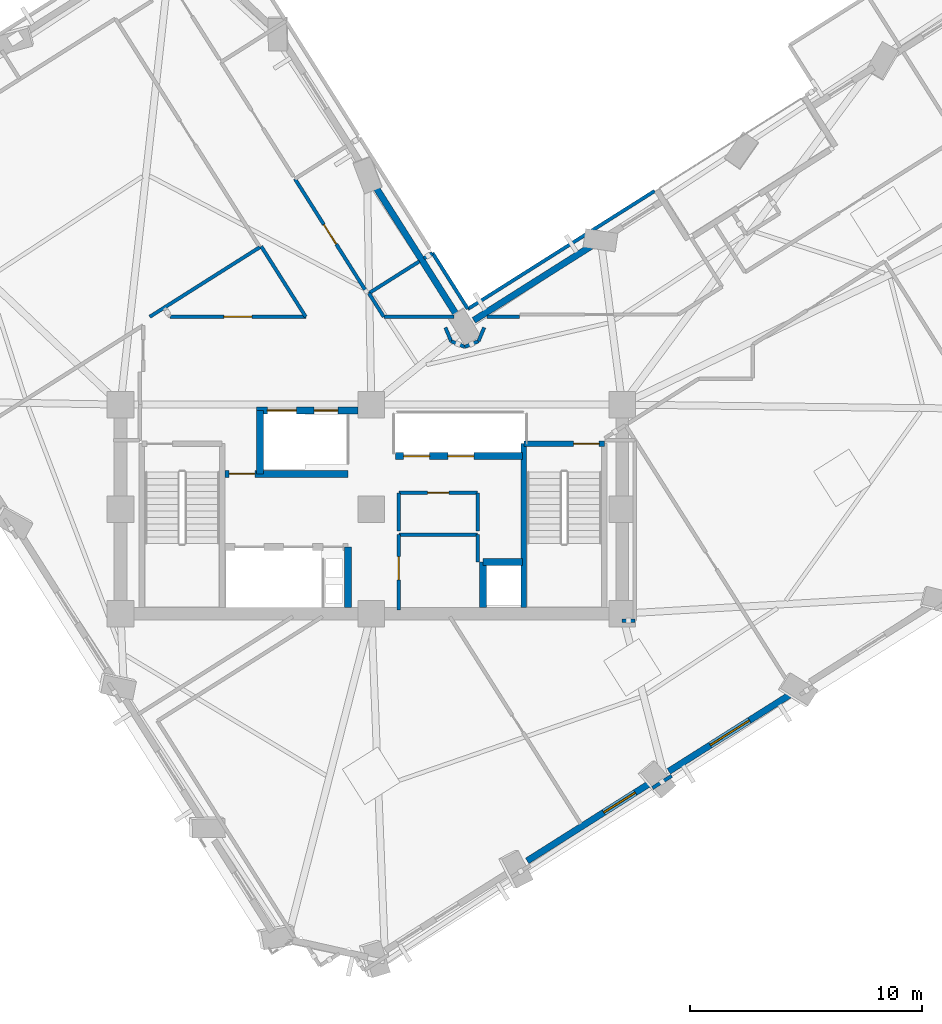
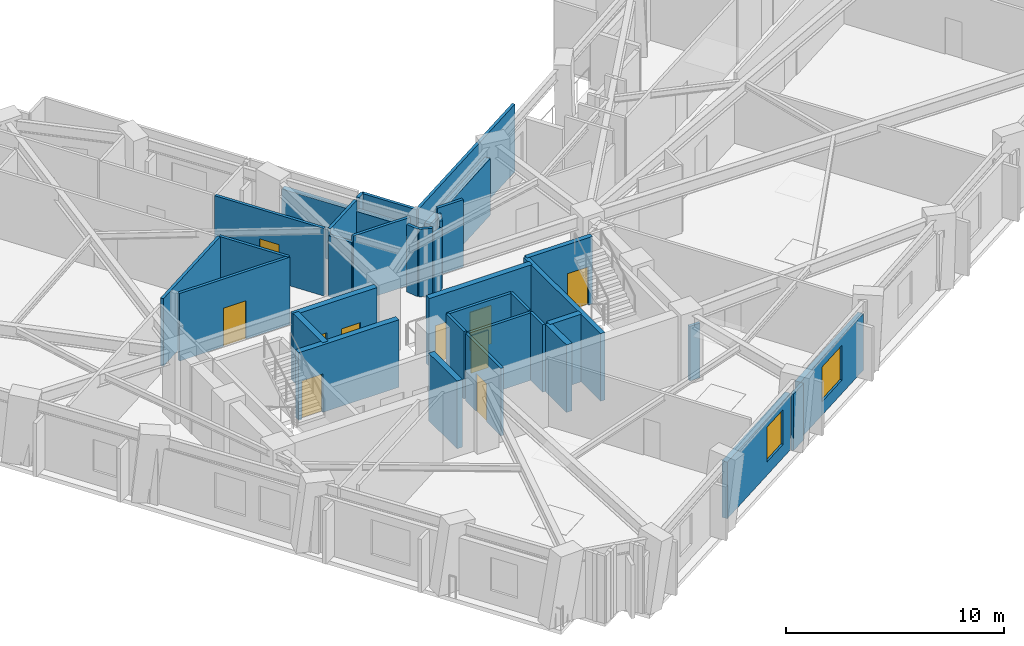
# One storey, part 6 of 14: 36 walls, 10 doors, 2 windows, 12 openings.
"""IFC4 building model written with IfcOpenShell, lengths in metres."""

from ifc_helpers import new_model, si_unit, direction, frame, frame_2d, origin, place, context, subcontext, project, spatial, rectangle, extrude, material, layer, layer_set, type_object, element, fill, save


model = new_model("IFC4")

# Units and contexts
model_context = context("Model", 3, precision=1e-05, world=origin(), true_north=direction((0.0, 1.0)))
body_context = subcontext(model_context, "Body", "Model", "MODEL_VIEW")
ifc_project = project(units=[si_unit("LENGTHUNIT", "METRE"), si_unit("AREAUNIT", "SQUARE_METRE"), si_unit("VOLUMEUNIT", "CUBIC_METRE"), si_unit("PLANEANGLEUNIT", "RADIAN"), si_unit("MASSUNIT", "GRAM", prefix="KILO")], contexts=[model_context])

# Site, building, storey
site_placement = place(None, origin())
site = spatial("IfcSite", under=ifc_project, at=site_placement, CompositionType="ELEMENT")
building_placement = place(site_placement, origin())
building = spatial("IfcBuilding", under=site, at=building_placement, Name="Gaonmaruhae Medical Tower", CompositionType="ELEMENT")
storey_placement = place(building_placement, frame((0.0, 0.0, 161.800048828125)))
storey = spatial("IfcBuildingStorey", under=building, at=storey_placement, Name="L38", CompositionType="ELEMENT", Elevation=161.800048828125)

# Wall, opening, window
ifc_material_1 = material(Name="Precast concrete C45/55", Category="concrete")
ifc_layer_1 = layer(ifc_material_1, 0.280029296875)
ifc_layer_set_1 = layer_set([ifc_layer_1], Name="Precast concrete C45/55")
wall_type_1 = type_object("IfcWallType", Name="EW-280 Upper Precast Masonry-Frame Facade Wall", PredefinedType="SOLIDWALL", material=ifc_layer_set_1)
wall_1_placement = place(storey_placement, frame((36.779296875, 0.48681640625, 0.0), z_axis=(0.0, 0.0, 1.0), x_axis=(-0.845247792031, -0.534374559712, 0.0)))
wall_1 = element("IfcWall", 1, at=wall_1_placement, inside=storey, type_object=wall_type_1, Name="L38 Precast Masonry-Frame Wall S02-S03", PredefinedType="SOLIDWALL", context=body_context, shape_type="SweptSolid", body=[
    extrude(rectangle(XDim=6.234130859375, YDim=0.280029296875, at=frame_2d((3.1171875, 0.0))), origin(), (0.0, 0.0, 1.0), 3.1650390625),
])
opening_1_placement = place(wall_1_placement, frame((0.73193359375, 0.0, 0.75)))
opening_1 = element("IfcOpeningElement", 2, at=opening_1_placement, cuts=wall_1, Name="Opening WN-01", PredefinedType="OPENING", context=body_context, shape_type="SweptSolid", body=[
    extrude(rectangle(XDim=1.60009765625, YDim=1.949951171875, at=frame_2d((0.800048828125, 0.97509765625))), frame((0.0, 0.14990234375, 0.0), z_axis=(0.0, -1.0, 0.0), x_axis=(1.0, 0.0, 0.0)), (0.0, 0.0, 1.0), 0.300048828125),
])
ifc_material_2 = material(Name="Anodised aluminium and Low-E double glazing", Category="aluminium")
window_type_1 = type_object("IfcWindowType", Name="WN-01 Ward Punched Acoustic Window 1600x1950", PartitioningType="SINGLE_PANEL", PredefinedType="WINDOW", material=ifc_material_2)
window_1_placement = place(opening_1_placement, origin())
window_1 = element("IfcWindow", 3, at=window_1_placement, inside=storey, type_object=window_type_1, Name="L38 Modular Facade Window S02", OverallHeight=1.949951171875, OverallWidth=1.60009765625, PartitioningType="SINGLE_PANEL", PredefinedType="WINDOW", context=body_context, shape_type="SweptSolid", body=[
    extrude(rectangle(XDim=1.60009765625, YDim=1.949951171875, at=frame_2d((0.800048828125, 0.97509765625))), frame((0.0, 0.030029296875, 0.0), z_axis=(0.0, -1.0, 0.0), x_axis=(1.0, 0.0, 0.0)), (0.0, 0.0, 1.0), 0.06005859375),
])
fill(opening_1, window_1)

wall_2_placement = place(storey_placement, frame((42.859619140625, 4.33056640625, 0.0), z_axis=(0.0, 0.0, 1.0), x_axis=(-0.845265708626, -0.534346219057, 0.0)))
wall_2 = element("IfcWall", 4, at=wall_2_placement, inside=storey, type_object=wall_type_1, Name="L38 Precast Masonry-Frame Wall S03-S04", PredefinedType="SOLIDWALL", context=body_context, shape_type="SweptSolid", body=[
    extrude(rectangle(XDim=6.21435546875, YDim=0.280029296875, at=frame_2d((3.107177734375, 0.0))), origin(), (0.0, 0.0, 1.0), 3.1650390625),
])
opening_2_placement = place(wall_2_placement, frame((2.105712890625, 0.0, 0.75)))
opening_2 = element("IfcOpeningElement", 5, at=opening_2_placement, cuts=wall_2, Name="Opening WN-02", PredefinedType="OPENING", context=body_context, shape_type="SweptSolid", body=[
    extrude(rectangle(XDim=2.0, YDim=1.949951171875, at=frame_2d((1.0, 0.97509765625))), frame((0.0, 0.14990234375, 0.0), z_axis=(0.0, -1.0, 0.0), x_axis=(1.0, 0.0, 0.0)), (0.0, 0.0, 1.0), 0.300048828125),
])
window_type_2 = type_object("IfcWindowType", Name="WN-02 Double-Bed Ward Punched Window 2000x1950", PartitioningType="SINGLE_PANEL", PredefinedType="WINDOW", material=ifc_material_2)
window_2_placement = place(opening_2_placement, origin())
window_2 = element("IfcWindow", 6, at=window_2_placement, inside=storey, type_object=window_type_2, Name="L38 Modular Facade Window S03", OverallHeight=1.949951171875, OverallWidth=2.0, PartitioningType="SINGLE_PANEL", PredefinedType="WINDOW", context=body_context, shape_type="SweptSolid", body=[
    extrude(rectangle(XDim=2.0, YDim=1.949951171875, at=frame_2d((1.0, 0.97509765625))), frame((0.0, 0.030029296875, 0.0), z_axis=(0.0, -1.0, 0.0), x_axis=(1.0, 0.0, 0.0)), (0.0, 0.0, 1.0), 0.06005859375),
])
fill(opening_2, window_2)

# Walls
wall_3_placement = place(storey_placement, frame((29.211669921875, 20.4287109375, 0.0), z_axis=(0.0, 0.0, 1.0), x_axis=(0.845278586038, 0.534325848136, 0.0)))
element("IfcWall", 7, at=wall_3_placement, inside=storey, type_object=wall_type_1, Name="L38 Precast Masonry-Frame Wall EN03-KN01", PredefinedType="SOLIDWALL", context=body_context, shape_type="SweptSolid", body=[
    extrude(rectangle(XDim=5.9599609375, YDim=0.280029296875, at=frame_2d((2.97998046875, 0.0))), origin(), (0.0, 0.0, 1.0), 3.1650390625),
])
wall_4_placement = place(storey_placement, frame((28.548828125, 20.532470703125, 0.0), z_axis=(0.0, 0.0, 1.0), x_axis=(-0.534367970057, 0.845251958044, 0.0)))
element("IfcWall", 8, at=wall_4_placement, inside=storey, type_object=wall_type_1, Name="L38 Precast Masonry-Frame Wall KN01-NE01", PredefinedType="SOLIDWALL", context=body_context, shape_type="SweptSolid", body=[
    extrude(rectangle(XDim=6.760009765625, YDim=0.280029296875, at=frame_2d((3.3798828125, 0.0))), origin(), (0.0, 0.0, 1.0), 3.1650390625),
])

# Wall, opening, door
ifc_material_3 = material(Name="Gypsum board partition", Category="gypsum")
ifc_layer_2 = layer(ifc_material_3, 0.14990234375)
ifc_layer_set_2 = layer_set([ifc_layer_2], Name="Gypsum board partition")
wall_type_2 = type_object("IfcWallType", Name="PW-150 Rated Clinical Corridor Partition", PredefinedType="PARTITIONING", material=ifc_layer_set_2)
wall_5_placement = place(storey_placement, frame((25.97998046875, 7.9599609375, 0.0), z_axis=(0.0, 0.0, 1.0), x_axis=(0.0, 1.0, 0.0)))
wall_5 = element("IfcWall", 9, at=wall_5_placement, inside=storey, type_object=wall_type_2, Name="L38 Interior Partition L38-RCL1-1", PredefinedType="PARTITIONING", context=body_context, shape_type="SweptSolid", body=[
    extrude(rectangle(XDim=3.239990234375, YDim=0.14990234375, at=frame_2d((1.6201171875, 0.0))), origin(), (0.0, 0.0, 1.0), 3.780029296875),
])
opening_3_placement = place(wall_5_placement, frame((1.294921875, 0.0, 0.0)))
opening_3 = element("IfcOpeningElement", 10, at=opening_3_placement, cuts=wall_5, Name="Opening CD-01", PredefinedType="OPENING", context=body_context, shape_type="SweptSolid", body=[
    extrude(rectangle(XDim=1.0, YDim=2.1201171875, at=frame_2d((0.5, 1.06005859375))), frame((0.0, 0.0849609375, 0.0), z_axis=(0.0, -1.0, 0.0), x_axis=(1.0, 0.0, 0.0)), (0.0, 0.0, 1.0), 0.169921875),
])
ifc_material_4 = material(Name="Antimicrobial laminate timber fire door", Category="wood")
door_type_1 = type_object("IfcDoorType", Name="CD-01 Consultation & Physician Office Door 1000x2120", OperationType="NOTDEFINED", PredefinedType="DOOR", material=ifc_material_4)
door_1_placement = place(opening_3_placement, origin())
door_1 = element("IfcDoor", 11, at=door_1_placement, inside=storey, type_object=door_type_1, Name="L38 Clinical Telemetry and Medication Room Door", OperationType="SINGLE_SWING_RIGHT", OverallHeight=2.1201171875, OverallWidth=1.0, PredefinedType="DOOR", context=body_context, shape_type="SweptSolid", body=[
    extrude(rectangle(XDim=1.0, YDim=2.1201171875, at=frame_2d((0.5, 1.06005859375))), frame((0.0, 0.02490234375, 0.0), z_axis=(0.0, -1.0, 0.0), x_axis=(1.0, 0.0, 0.0)), (0.0, 0.0, 1.0), 0.050048828125),
])
fill(opening_3, door_1)

# Walls
wall_6_placement = place(storey_placement, frame((25.97998046875, 11.199951171875, 0.0), z_axis=(0.0, 0.0, 1.0), x_axis=(1.0, 0.0, 0.0)))
element("IfcWall", 12, at=wall_6_placement, inside=storey, type_object=wall_type_2, Name="L38 Interior Partition L38-RCL1-2", PredefinedType="PARTITIONING", context=body_context, shape_type="SweptSolid", body=[
    extrude(rectangle(XDim=3.39990234375, YDim=0.14990234375, at=frame_2d((1.699951171875, 0.0))), origin(), (0.0, 0.0, 1.0), 3.780029296875),
])
wall_7_placement = place(storey_placement, frame((29.3798828125, 11.199951171875, 0.0), z_axis=(0.0, 0.0, 1.0), x_axis=(0.0, -1.0, 0.0)))
element("IfcWall", 13, at=wall_7_placement, inside=storey, type_object=wall_type_2, Name="L38 Interior Partition L38-RCL1-3", PredefinedType="PARTITIONING", context=body_context, shape_type="SweptSolid", body=[
    extrude(rectangle(XDim=1.179931640625, YDim=0.14990234375, at=frame_2d((0.58984375, 0.0))), origin(), (0.0, 0.0, 1.0), 3.780029296875),
])
wall_8_placement = place(storey_placement, frame((25.97998046875, 11.360107421875, 0.0), z_axis=(0.0, 0.0, 1.0), x_axis=(0.0, 1.0, 0.0)))
element("IfcWall", 14, at=wall_8_placement, inside=storey, type_object=wall_type_2, Name="L38 Interior Partition L38-CS1-4", PredefinedType="PARTITIONING", context=body_context, shape_type="SweptSolid", body=[
    extrude(rectangle(XDim=1.639892578125, YDim=0.14990234375, at=frame_2d((0.81982421875, 0.0))), origin(), (0.0, 0.0, 1.0), 3.780029296875),
])

# Wall, opening, door
wall_9_placement = place(storey_placement, frame((25.97998046875, 13.0, 0.0), z_axis=(0.0, 0.0, 1.0), x_axis=(1.0, 0.0, 0.0)))
wall_9 = element("IfcWall", 15, at=wall_9_placement, inside=storey, type_object=wall_type_2, Name="L38 Interior Partition L38-CS1-5", PredefinedType="PARTITIONING", context=body_context, shape_type="SweptSolid", body=[
    extrude(rectangle(XDim=3.39990234375, YDim=0.14990234375, at=frame_2d((1.699951171875, 0.0))), origin(), (0.0, 0.0, 1.0), 3.780029296875),
])
opening_4_placement = place(wall_9_placement, frame((1.239990234375, 0.0, 0.0)))
opening_4 = element("IfcOpeningElement", 16, at=opening_4_placement, cuts=wall_9, Name="Opening UD-01", PredefinedType="OPENING", context=body_context, shape_type="SweptSolid", body=[
    extrude(rectangle(XDim=0.919921875, YDim=2.10009765625, at=frame_2d((0.4599609375, 1.050048828125))), frame((0.0, 0.0849609375, 0.0), z_axis=(0.0, -1.0, 0.0), x_axis=(1.0, 0.0, 0.0)), (0.0, 0.0, 1.0), 0.169921875),
])
ifc_material_5 = material(Name="Powder-coated steel utility door", Category="steel")
door_type_2 = type_object("IfcDoorType", Name="UD-01 Toilet, Utility & Housekeeping Door 920x2100", OperationType="NOTDEFINED", PredefinedType="DOOR", material=ifc_material_5)
door_2_placement = place(opening_4_placement, origin())
door_2 = element("IfcDoor", 17, at=door_2_placement, inside=storey, type_object=door_type_2, Name="L38 Accessible Staff Toilet Door", OperationType="SINGLE_SWING_LEFT", OverallHeight=2.10009765625, OverallWidth=0.919921875, PredefinedType="DOOR", context=body_context, shape_type="SweptSolid", body=[
    extrude(rectangle(XDim=0.919921875, YDim=2.10009765625, at=frame_2d((0.4599609375, 1.050048828125))), frame((0.0, 0.02490234375, 0.0), z_axis=(0.0, -1.0, 0.0), x_axis=(1.0, 0.0, 0.0)), (0.0, 0.0, 1.0), 0.050048828125),
])
fill(opening_4, door_2)

# Walls
wall_10_placement = place(storey_placement, frame((29.3798828125, 13.0, 0.0), z_axis=(0.0, 0.0, 1.0), x_axis=(0.0, -1.0, 0.0)))
element("IfcWall", 18, at=wall_10_placement, inside=storey, type_object=wall_type_2, Name="L38 Interior Partition L38-CS1-6", PredefinedType="PARTITIONING", context=body_context, shape_type="SweptSolid", body=[
    extrude(rectangle(XDim=1.639892578125, YDim=0.14990234375, at=frame_2d((0.81982421875, 0.0))), origin(), (0.0, 0.0, 1.0), 3.780029296875),
])
wall_11_placement = place(storey_placement, frame((37.72998046875, 0.81591796875, 0.0), z_axis=(0.0, 0.0, 1.0), x_axis=(-0.845003003257, -0.534761558534, 0.0)))
element("IfcWall", 19, at=wall_11_placement, inside=storey, type_object=wall_type_2, Name="L38 Interior Partition L38-SUP02-18", PredefinedType="PARTITIONING", context=body_context, shape_type="SweptSolid", body=[
    extrude(rectangle(XDim=0.979736328125, YDim=0.14990234375, at=frame_2d((0.48974609375, 0.0))), origin(), (0.0, 0.0, 1.0), 3.1650390625),
])
wall_12_placement = place(storey_placement, frame((35.60009765625, 7.5, 0.0), z_axis=(0.0, 0.0, 1.0), x_axis=(1.0, 0.0, 0.0)))
element("IfcWall", 20, at=wall_12_placement, inside=storey, type_object=wall_type_2, Name="L38 Interior Partition L38-SUP02-19", PredefinedType="PARTITIONING", context=body_context, shape_type="SweptSolid", body=[
    extrude(rectangle(XDim=0.5498046875, YDim=0.14990234375, at=frame_2d((0.27490234375, 0.0))), origin(), (0.0, 0.0, 1.0), 3.06494140625),
])
wall_13_placement = place(storey_placement, frame((19.998046875, 23.577880859375, 0.0), z_axis=(0.0, 0.0, 1.0), x_axis=(-0.845256150615, -0.534361338279, 0.0)))
element("IfcWall", 21, at=wall_13_placement, inside=storey, type_object=wall_type_2, Name="L38 Interior Partition L38-WOF06-50", PredefinedType="PARTITIONING", context=body_context, shape_type="SweptSolid", body=[
    extrude(rectangle(XDim=5.610107421875, YDim=0.14990234375, at=frame_2d((2.80517578125, 0.0))), origin(), (0.0, 0.0, 1.0), 3.780029296875),
])
wall_14_placement = place(storey_placement, frame((31.169921875, 20.580078125, 0.0), z_axis=(0.0, 0.0, 1.0), x_axis=(-0.999995483041, -0.003005644132, 0.0)))
element("IfcWall", 22, at=wall_14_placement, inside=storey, type_object=wall_type_2, Name="L38 Interior Partition L38-IE01-51", PredefinedType="PARTITIONING", context=body_context, shape_type="SweptSolid", body=[
    extrude(rectangle(XDim=1.380859375, YDim=0.14990234375, at=frame_2d((0.6904296875, 0.0))), origin(), (0.0, 0.0, 1.0), 3.780029296875),
])
wall_15_placement = place(storey_placement, frame((29.656982421875, 20.118896484375, 0.0), z_axis=(0.0, 0.0, 1.0), x_axis=(-0.382656259044, -0.923890787601, 0.0)))
element("IfcWall", 23, at=wall_15_placement, inside=storey, type_object=wall_type_2, Name="L38 Interior Partition L38-IE01-52", PredefinedType="PARTITIONING", context=body_context, shape_type="SweptSolid", body=[
    extrude(rectangle(XDim=0.637451171875, YDim=0.14990234375, at=frame_2d((0.31884765625, 0.0))), origin(), (0.0, 0.0, 1.0), 3.780029296875),
])
wall_16_placement = place(storey_placement, frame((29.4130859375, 19.530029296875, 0.0), z_axis=(0.0, 0.0, 1.0), x_axis=(-0.923811477415, -0.382847690599, 0.0)))
element("IfcWall", 24, at=wall_16_placement, inside=storey, type_object=wall_type_2, Name="L38 Interior Partition L38-IE01-53", PredefinedType="PARTITIONING", context=body_context, shape_type="SweptSolid", body=[
    extrude(rectangle(XDim=0.6376953125, YDim=0.14990234375, at=frame_2d((0.31884765625, 0.0))), origin(), (0.0, 0.0, 1.0), 3.4150390625),
])
wall_17_placement = place(storey_placement, frame((28.823974609375, 19.285888671875, 0.0), z_axis=(0.0, 0.0, 1.0), x_axis=(-0.924035461503, 0.382306769343, 0.0)))
element("IfcWall", 25, at=wall_17_placement, inside=storey, type_object=wall_type_2, Name="L38 Interior Partition L38-IE01-54", PredefinedType="PARTITIONING", context=body_context, shape_type="SweptSolid", body=[
    extrude(rectangle(XDim=0.638671875, YDim=0.14990234375, at=frame_2d((0.3193359375, 0.0))), origin(), (0.0, 0.0, 1.0), 3.780029296875),
])
wall_18_placement = place(storey_placement, frame((28.23388671875, 19.530029296875, 0.0), z_axis=(0.0, 0.0, 1.0), x_axis=(-0.382656259044, 0.923890787601, 0.0)))
element("IfcWall", 26, at=wall_18_placement, inside=storey, type_object=wall_type_2, Name="L38 Interior Partition L38-IE01-55", PredefinedType="PARTITIONING", context=body_context, shape_type="SweptSolid", body=[
    extrude(rectangle(XDim=0.637451171875, YDim=0.14990234375, at=frame_2d((0.31884765625, 0.0))), origin(), (0.0, 0.0, 1.0), 3.780029296875),
])
wall_19_placement = place(storey_placement, frame((28.362060546875, 20.574951171875, 0.0), z_axis=(0.0, 0.0, 1.0), x_axis=(-0.999998564793, 0.001694229113, 0.0)))
element("IfcWall", 27, at=wall_19_placement, inside=storey, type_object=wall_type_2, Name="L38 Interior Partition L38-IE01-56", PredefinedType="PARTITIONING", context=body_context, shape_type="SweptSolid", body=[
    extrude(rectangle(XDim=3.026123046875, YDim=0.14990234375, at=frame_2d((1.51318359375, 0.0))), origin(), (0.0, 0.0, 1.0), 3.780029296875),
])
wall_20_placement = place(storey_placement, frame((25.3359375, 20.580078125, 0.0), z_axis=(0.0, 0.0, 1.0), x_axis=(-0.53450539879, 0.845165060012, 0.0)))
element("IfcWall", 28, at=wall_20_placement, inside=storey, type_object=wall_type_2, Name="L38 Interior Partition L38-IE01-57", PredefinedType="PARTITIONING", context=body_context, shape_type="SweptSolid", body=[
    extrude(rectangle(XDim=1.200927734375, YDim=0.14990234375, at=frame_2d((0.6005859375, 0.0))), origin(), (0.0, 0.0, 1.0), 3.4150390625),
])
wall_21_placement = place(storey_placement, frame((24.694091796875, 21.594970703125, 0.0), z_axis=(0.0, 0.0, 1.0), x_axis=(0.845308645917, 0.534278291846, 0.0)))
element("IfcWall", 29, at=wall_21_placement, inside=storey, type_object=wall_type_2, Name="L38 Interior Partition L38-IE01-58", PredefinedType="PARTITIONING", context=body_context, shape_type="SweptSolid", body=[
    extrude(rectangle(XDim=2.575439453125, YDim=0.14990234375, at=frame_2d((1.28759765625, 0.0))), origin(), (0.0, 0.0, 1.0), 3.780029296875),
])
wall_22_placement = place(storey_placement, frame((27.06494140625, 23.093994140625, 0.0), z_axis=(0.0, 0.0, 1.0), x_axis=(0.84508917053, 0.534625377113, 0.0)))
element("IfcWall", 30, at=wall_22_placement, inside=storey, type_object=wall_type_2, Name="L38 Interior Partition L38-IE01-59", PredefinedType="PARTITIONING", context=body_context, shape_type="SweptSolid", body=[
    extrude(rectangle(XDim=0.435546875, YDim=0.14990234375, at=frame_2d((0.2177734375, 0.0))), origin(), (0.0, 0.0, 1.0), 3.780029296875),
])
wall_23_placement = place(storey_placement, frame((27.43310546875, 23.326904296875, 0.0), z_axis=(0.0, 0.0, 1.0), x_axis=(0.534373252467, -0.845248618483, 0.0)))
element("IfcWall", 31, at=wall_23_placement, inside=storey, type_object=wall_type_2, Name="L38 Interior Partition L38-IE01-60", PredefinedType="PARTITIONING", context=body_context, shape_type="SweptSolid", body=[
    extrude(rectangle(XDim=2.849853515625, YDim=0.14990234375, at=frame_2d((1.4248046875, 0.0))), origin(), (0.0, 0.0, 1.0), 3.780029296875),
])
wall_24_placement = place(storey_placement, frame((28.9560546875, 20.91796875, 0.0), z_axis=(0.0, 0.0, 1.0), x_axis=(0.845335214323, 0.534236254316, 0.0)))
element("IfcWall", 32, at=wall_24_placement, inside=storey, type_object=wall_type_2, Name="L38 Interior Partition L38-IE01-61", PredefinedType="PARTITIONING", context=body_context, shape_type="SweptSolid", body=[
    extrude(rectangle(XDim=9.5146484375, YDim=0.14990234375, at=frame_2d((4.75732421875, 0.0))), origin(), (0.0, 0.0, 1.0), 3.780029296875),
])

# Wall, opening, door
wall_25_placement = place(storey_placement, frame((24.531005859375, 21.740966796875, 0.0), z_axis=(0.0, 0.0, 1.0), x_axis=(-0.534249623968, 0.845326764802, 0.0)))
wall_25 = element("IfcWall", 33, at=wall_25_placement, inside=storey, type_object=wall_type_2, Name="L38 Interior Partition L38-IN01-83", PredefinedType="PARTITIONING", context=body_context, shape_type="SweptSolid", body=[
    extrude(rectangle(XDim=5.654541015625, YDim=0.14990234375, at=frame_2d((2.8271484375, 0.0))), origin(), (0.0, 0.0, 1.0), 3.780029296875),
])
opening_5_placement = place(wall_25_placement, frame((2.327392578125, 0.0, 0.0)))
opening_5 = element("IfcOpeningElement", 34, at=opening_5_placement, cuts=wall_25, Name="Opening CD-01", PredefinedType="OPENING", context=body_context, shape_type="SweptSolid", body=[
    extrude(rectangle(XDim=1.0, YDim=2.1201171875, at=frame_2d((0.5, 1.06005859375))), frame((0.0, 0.0849609375, 0.0), z_axis=(0.0, -1.0, 0.0), x_axis=(1.0, 0.0, 0.0)), (0.0, 0.0, 1.0), 0.169921875),
])
door_3_placement = place(opening_5_placement, origin())
door_3 = element("IfcDoor", 35, at=door_3_placement, inside=storey, type_object=door_type_1, Name="L38 Physician Consultation Office Door", OperationType="SINGLE_SWING_LEFT", OverallHeight=2.1201171875, OverallWidth=1.0, PredefinedType="DOOR", context=body_context, shape_type="SweptSolid", body=[
    extrude(rectangle(XDim=1.0, YDim=2.1201171875, at=frame_2d((0.5, 1.06005859375))), frame((0.0, 0.02490234375, 0.0), z_axis=(0.0, -1.0, 0.0), x_axis=(1.0, 0.0, 0.0)), (0.0, 0.0, 1.0), 0.050048828125),
])
fill(opening_5, door_3)

# Wall
wall_26_placement = place(storey_placement, frame((20.056884765625, 23.614990234375, 0.0), z_axis=(0.0, 0.0, 1.0), x_axis=(0.534471261003, -0.845186648712, 0.0)))
element("IfcWall", 36, at=wall_26_placement, inside=storey, type_object=wall_type_2, Name="L38 Interior Partition L38-RM02-95", PredefinedType="PARTITIONING", context=body_context, shape_type="SweptSolid", body=[
    extrude(rectangle(XDim=3.5908203125, YDim=0.14990234375, at=frame_2d((1.79541015625, 0.0))), origin(), (0.0, 0.0, 1.0), 3.780029296875),
])

# Wall, opening, door
wall_27_placement = place(storey_placement, frame((21.97607421875, 20.580078125, 0.0), z_axis=(0.0, 0.0, 1.0), x_axis=(-1.0, 0.0, 0.0)))
wall_27 = element("IfcWall", 37, at=wall_27_placement, inside=storey, type_object=wall_type_2, Name="L38 Interior Partition L38-RM02-96", PredefinedType="PARTITIONING", context=body_context, shape_type="SweptSolid", body=[
    extrude(rectangle(XDim=5.843994140625, YDim=0.14990234375, at=frame_2d((2.921875, 0.0))), origin(), (0.0, 0.0, 1.0), 3.780029296875),
])
opening_6_placement = place(wall_27_placement, frame((2.322021484375, 0.0, 0.0)))
opening_6 = element("IfcOpeningElement", 38, at=opening_6_placement, cuts=wall_27, Name="Opening CD-02", PredefinedType="OPENING", context=body_context, shape_type="SweptSolid", body=[
    extrude(rectangle(XDim=1.199951171875, YDim=2.14990234375, at=frame_2d((0.60009765625, 1.074951171875))), frame((0.0, 0.0849609375, 0.0), z_axis=(0.0, -1.0, 0.0), x_axis=(1.0, 0.0, 0.0)), (0.0, 0.0, 1.0), 0.169921875),
])
door_type_3 = type_object("IfcDoorType", Name="CD-02 Clinical Treatment & Procedure Door 1200x2150", OperationType="NOTDEFINED", PredefinedType="DOOR", material=ifc_material_4)
door_4_placement = place(opening_6_placement, origin())
door_4 = element("IfcDoor", 39, at=door_4_placement, inside=storey, type_object=door_type_3, Name="L38 Care Team Clinical Charting Office Door", OperationType="SINGLE_SWING_RIGHT", OverallHeight=2.14990234375, OverallWidth=1.199951171875, PredefinedType="DOOR", context=body_context, shape_type="SweptSolid", body=[
    extrude(rectangle(XDim=1.199951171875, YDim=2.14990234375, at=frame_2d((0.60009765625, 1.074951171875))), frame((0.0, 0.02490234375, 0.0), z_axis=(0.0, -1.0, 0.0), x_axis=(1.0, 0.0, 0.0)), (0.0, 0.0, 1.0), 0.050048828125),
])
fill(opening_6, door_4)

ifc_material_6 = material(Name="Concrete C50/60", Category="concrete")
ifc_layer_3 = layer(ifc_material_6, 0.239990234375)
ifc_layer_set_3 = layer_set([ifc_layer_3], Name="Concrete C50/60")
wall_type_3 = type_object("IfcWallType", Name="SW-240 Dogleg Stair Tight Shaft Wall", PredefinedType="SOLIDWALL", material=ifc_layer_set_3)
wall_28_placement = place(storey_placement, frame((31.3701171875, 15.1201171875, 0.0), z_axis=(0.0, 0.0, 1.0), x_axis=(1.0, 0.0, 0.0)))
wall_28 = element("IfcWall", 40, at=wall_28_placement, inside=storey, type_object=wall_type_3, Name="L38 ST-02 Stair Shaft Wall SHW-ST-02-N", PredefinedType="SOLIDWALL", context=body_context, shape_type="SweptSolid", body=[
    extrude(rectangle(XDim=3.4599609375, YDim=0.239990234375, at=frame_2d((1.72998046875, 0.0))), origin(), (0.0, 0.0, 1.0), 3.780029296875),
])
opening_7_placement = place(wall_28_placement, frame((2.139892578125, 0.0, 0.0)))
opening_7 = element("IfcOpeningElement", 41, at=opening_7_placement, cuts=wall_28, Name="Opening FD-01", PredefinedType="OPENING", context=body_context, shape_type="SweptSolid", body=[
    extrude(rectangle(XDim=1.10009765625, YDim=2.14990234375, at=frame_2d((0.550048828125, 1.074951171875))), frame((0.0, 0.1298828125, 0.0), z_axis=(0.0, -1.0, 0.0), x_axis=(1.0, 0.0, 0.0)), (0.0, 0.0, 1.0), 0.260009765625),
])
ifc_material_7 = material(Name="Powder-coated steel fire door", Category="steel")
door_type_4 = type_object("IfcDoorType", Name="FD-01 Escape Stair Protected Fire Door 1100x2150", OperationType="NOTDEFINED", PredefinedType="DOOR", material=ifc_material_7)
door_5_placement = place(opening_7_placement, origin())
door_5 = element("IfcDoor", 42, at=door_5_placement, inside=storey, type_object=door_type_4, Name="L38 ST-02 Protected Escape Stair Door", OperationType="SINGLE_SWING_LEFT", OverallHeight=2.14990234375, OverallWidth=1.10009765625, PredefinedType="DOOR", context=body_context, shape_type="SweptSolid", body=[
    extrude(rectangle(XDim=1.10009765625, YDim=2.14990234375, at=frame_2d((0.550048828125, 1.074951171875))), frame((0.0, 0.02490234375, 0.0), z_axis=(0.0, -1.0, 0.0), x_axis=(1.0, 0.0, 0.0)), (0.0, 0.0, 1.0), 0.050048828125),
])
fill(opening_7, door_5)

# Wall
wall_29_placement = place(storey_placement, frame((31.3701171875, 8.074951171875, 0.0), z_axis=(0.0, 0.0, 1.0), x_axis=(0.0, 1.0, 0.0)))
element("IfcWall", 43, at=wall_29_placement, inside=storey, type_object=wall_type_3, Name="L38 ST-02 Stair Shaft Wall SHW-ST-02-W", PredefinedType="SOLIDWALL", context=body_context, shape_type="SweptSolid", body=[
    extrude(rectangle(XDim=7.045166015625, YDim=0.239990234375, at=frame_2d((3.5224609375, 0.0))), origin(), (0.0, 0.0, 1.0), 3.780029296875),
])

# Wall, openings, doors
ifc_layer_4 = layer(ifc_material_6, 0.300048828125)
ifc_layer_set_4 = layer_set([ifc_layer_4], Name="Concrete C50/60")
wall_type_4 = type_object("IfcWallType", Name="SW-300 Stair & Lift Hoistway Shaft Wall", PredefinedType="SOLIDWALL", material=ifc_layer_set_4)
wall_30_placement = place(storey_placement, frame((19.85009765625, 16.550048828125, 0.0), z_axis=(0.0, 0.0, 1.0), x_axis=(1.0, 0.0, 0.0)))
wall_30 = element("IfcWall", 44, at=wall_30_placement, inside=storey, type_object=wall_type_4, Name="L38 Core Shear Wall CSW-NB", PredefinedType="SOLIDWALL", context=body_context, shape_type="SweptSolid", body=[
    extrude(rectangle(XDim=4.375, YDim=0.300048828125, at=frame_2d((2.1875, 0.0))), origin(), (0.0, 0.0, 1.0), 3.780029296875),
])
opening_8_placement = place(wall_30_placement, frame((0.47509765625, 0.0, 0.0)))
opening_8 = element("IfcOpeningElement", 45, at=opening_8_placement, cuts=wall_30, Name="Opening LD-F1", PredefinedType="OPENING", context=body_context, shape_type="SweptSolid", body=[
    extrude(rectangle(XDim=1.25, YDim=2.179931640625, at=frame_2d((0.625, 1.08984375))), frame((0.0, 0.16015625, 0.0), z_axis=(0.0, -1.0, 0.0), x_axis=(1.0, 0.0, 0.0)), (0.0, 0.0, 1.0), 0.320068359375),
])
opening_9_placement = place(wall_30_placement, frame((2.489990234375, 0.0, 0.0)))
opening_9 = element("IfcOpeningElement", 46, at=opening_9_placement, cuts=wall_30, Name="Opening LD-S1", PredefinedType="OPENING", context=body_context, shape_type="SweptSolid", body=[
    extrude(rectangle(XDim=1.02001953125, YDim=2.1201171875, at=frame_2d((0.510009765625, 1.06005859375))), frame((0.0, 0.16015625, 0.0), z_axis=(0.0, -1.0, 0.0), x_axis=(1.0, 0.0, 0.0)), (0.0, 0.0, 1.0), 0.320068359375),
])
ifc_material_8 = material(Name="Brushed stainless steel 316L landing door", Category="steel")
door_type_5 = type_object("IfcDoorType", Name="LD-F1 Firefighting & Bed Lift Sliding Landing Door 1250x2180", OperationType="NOTDEFINED", PredefinedType="DOOR", material=ifc_material_8)
door_6_placement = place(opening_8_placement, origin())
door_6 = element("IfcDoor", 47, at=door_6_placement, inside=storey, type_object=door_type_5, Name="L38 Service/Bed Lift Landing Door BDL-01", OperationType="DOUBLE_DOOR_SLIDING", OverallHeight=2.179931640625, OverallWidth=1.25, PredefinedType="DOOR", context=body_context, shape_type="SweptSolid", body=[
    extrude(rectangle(XDim=1.25, YDim=2.179931640625, at=frame_2d((0.625, 1.08984375))), frame((0.0, 0.02490234375, 0.0), z_axis=(0.0, -1.0, 0.0), x_axis=(1.0, 0.0, 0.0)), (0.0, 0.0, 1.0), 0.050048828125),
])
fill(opening_8, door_6)
ifc_material_9 = material(Name="Brushed stainless steel 304 landing door", Category="steel")
door_type_6 = type_object("IfcDoorType", Name="LD-S1 Service Lift Sliding Landing Door 1020x2120", OperationType="NOTDEFINED", PredefinedType="DOOR", material=ifc_material_9)
door_7_placement = place(opening_9_placement, origin())
door_7 = element("IfcDoor", 48, at=door_7_placement, inside=storey, type_object=door_type_6, Name="L38 Service/Bed Lift Landing Door SVL-01", OperationType="SLIDING_TO_LEFT", OverallHeight=2.1201171875, OverallWidth=1.02001953125, PredefinedType="DOOR", context=body_context, shape_type="SweptSolid", body=[
    extrude(rectangle(XDim=1.02001953125, YDim=2.1201171875, at=frame_2d((0.510009765625, 1.06005859375))), frame((0.0, 0.02490234375, 0.0), z_axis=(0.0, -1.0, 0.0), x_axis=(1.0, 0.0, 0.0)), (0.0, 0.0, 1.0), 0.050048828125),
])
fill(opening_9, door_7)

# Wall, opening, door
wall_31_placement = place(storey_placement, frame((18.5, 13.820068359375, 0.0), z_axis=(0.0, 0.0, 1.0), x_axis=(1.0, 0.0, 0.0)))
wall_31 = element("IfcWall", 49, at=wall_31_placement, inside=storey, type_object=wall_type_4, Name="L38 Shaft Enclosure Wall SHW-FFL", PredefinedType="SOLIDWALL", context=body_context, shape_type="SweptSolid", body=[
    extrude(rectangle(XDim=5.300048828125, YDim=0.300048828125, at=frame_2d((2.64990234375, 0.0))), origin(), (0.0, 0.0, 1.0), 3.780029296875),
])
opening_10_placement = place(wall_31_placement, frame((0.179931640625, 0.0, 0.0)))
opening_10 = element("IfcOpeningElement", 50, at=opening_10_placement, cuts=wall_31, Name="Opening FD-01", PredefinedType="OPENING", context=body_context, shape_type="SweptSolid", body=[
    extrude(rectangle(XDim=1.10009765625, YDim=2.14990234375, at=frame_2d((0.550048828125, 1.074951171875))), frame((0.0, 0.16015625, 0.0), z_axis=(0.0, -1.0, 0.0), x_axis=(1.0, 0.0, 0.0)), (0.0, 0.0, 1.0), 0.320068359375),
])
door_8_placement = place(opening_10_placement, origin())
door_8 = element("IfcDoor", 51, at=door_8_placement, inside=storey, type_object=door_type_4, Name="L38 Firefighting Lobby Smoke Door", OperationType="SINGLE_SWING_LEFT", OverallHeight=2.14990234375, OverallWidth=1.10009765625, PredefinedType="DOOR", context=body_context, shape_type="SweptSolid", body=[
    extrude(rectangle(XDim=1.10009765625, YDim=2.14990234375, at=frame_2d((0.550048828125, 1.074951171875))), frame((0.0, 0.02490234375, 0.0), z_axis=(0.0, -1.0, 0.0), x_axis=(1.0, 0.0, 0.0)), (0.0, 0.0, 1.0), 0.050048828125),
])
fill(opening_10, door_8)

# Walls
wall_32_placement = place(storey_placement, frame((23.800048828125, 8.074951171875, 0.0), z_axis=(0.0, 0.0, 1.0), x_axis=(0.0, 1.0, 0.0)))
element("IfcWall", 52, at=wall_32_placement, inside=storey, type_object=wall_type_4, Name="L38 Shaft Enclosure Wall SHW-FFE", PredefinedType="SOLIDWALL", context=body_context, shape_type="SweptSolid", body=[
    extrude(rectangle(XDim=2.60498046875, YDim=0.300048828125, at=frame_2d((1.302490234375, 0.0))), origin(), (0.0, 0.0, 1.0), 3.780029296875),
])
wall_33_placement = place(storey_placement, frame((20.0, 13.820068359375, 0.0), z_axis=(0.0, 0.0, 1.0), x_axis=(0.0, 1.0, 0.0)))
element("IfcWall", 53, at=wall_33_placement, inside=storey, type_object=wall_type_4, Name="L38 Shaft Enclosure Wall SHW-BDW", PredefinedType="SOLIDWALL", context=body_context, shape_type="SweptSolid", body=[
    extrude(rectangle(XDim=2.72998046875, YDim=0.300048828125, at=frame_2d((1.364990234375, 0.0))), origin(), (0.0, 0.0, 1.0), 3.780029296875),
])
wall_34_placement = place(storey_placement, frame((29.60009765625, 10.02001953125, 0.0), z_axis=(0.0, 0.0, 1.0), x_axis=(1.0, 0.0, 0.0)))
element("IfcWall", 54, at=wall_34_placement, inside=storey, type_object=wall_type_4, Name="L38 Shaft Enclosure Wall SHW-PLS", PredefinedType="SOLIDWALL", context=body_context, shape_type="SweptSolid", body=[
    extrude(rectangle(XDim=1.699951171875, YDim=0.300048828125, at=frame_2d((0.85009765625, 0.0))), origin(), (0.0, 0.0, 1.0), 3.780029296875),
])
wall_35_placement = place(storey_placement, frame((29.60009765625, 8.074951171875, 0.0), z_axis=(0.0, 0.0, 1.0), x_axis=(0.0, 1.0, 0.0)))
element("IfcWall", 55, at=wall_35_placement, inside=storey, type_object=wall_type_4, Name="L38 Shaft Enclosure Wall SHW-PLD1", PredefinedType="SOLIDWALL", context=body_context, shape_type="SweptSolid", body=[
    extrude(rectangle(XDim=1.945068359375, YDim=0.300048828125, at=frame_2d((0.97265625, 0.0))), origin(), (0.0, 0.0, 1.0), 3.780029296875),
])

# Wall, openings, doors
wall_36_placement = place(storey_placement, frame((25.85009765625, 14.580078125, 0.0), z_axis=(0.0, 0.0, 1.0), x_axis=(1.0, 0.0, 0.0)))
wall_36 = element("IfcWall", 56, at=wall_36_placement, inside=storey, type_object=wall_type_4, Name="L38 Shaft Enclosure Wall SHW-PLN", PredefinedType="SOLIDWALL", context=body_context, shape_type="SweptSolid", body=[
    extrude(rectangle(XDim=5.449951171875, YDim=0.300048828125, at=frame_2d((2.72509765625, 0.0))), origin(), (0.0, 0.0, 1.0), 3.780029296875),
])
opening_11_placement = place(wall_36_placement, frame((0.340087890625, 0.0, 0.0)))
opening_11 = element("IfcOpeningElement", 57, at=opening_11_placement, cuts=wall_36, Name="Opening LD-P1", PredefinedType="OPENING", context=body_context, shape_type="SweptSolid", body=[
    extrude(rectangle(XDim=1.1201171875, YDim=2.14990234375, at=frame_2d((0.56005859375, 1.074951171875))), frame((0.0, 0.16015625, 0.0), z_axis=(0.0, -1.0, 0.0), x_axis=(1.0, 0.0, 0.0)), (0.0, 0.0, 1.0), 0.320068359375),
])
opening_12_placement = place(wall_36_placement, frame((2.239990234375, 0.0, 0.0)))
opening_12 = element("IfcOpeningElement", 58, at=opening_12_placement, cuts=wall_36, Name="Opening LD-P1", PredefinedType="OPENING", context=body_context, shape_type="SweptSolid", body=[
    extrude(rectangle(XDim=1.1201171875, YDim=2.14990234375, at=frame_2d((0.56005859375, 1.074951171875))), frame((0.0, 0.16015625, 0.0), z_axis=(0.0, -1.0, 0.0), x_axis=(1.0, 0.0, 0.0)), (0.0, 0.0, 1.0), 0.320068359375),
])
door_type_7 = type_object("IfcDoorType", Name="LD-P1 Passenger Lift Sliding Landing Door 1120x2150", OperationType="NOTDEFINED", PredefinedType="DOOR", material=ifc_material_9)
door_9_placement = place(opening_11_placement, origin())
door_9 = element("IfcDoor", 59, at=door_9_placement, inside=storey, type_object=door_type_7, Name="L38 Passenger Lift Landing Door PL-M1", OperationType="DOUBLE_DOOR_SLIDING", OverallHeight=2.14990234375, OverallWidth=1.1201171875, PredefinedType="DOOR", context=body_context, shape_type="SweptSolid", body=[
    extrude(rectangle(XDim=1.1201171875, YDim=2.14990234375, at=frame_2d((0.56005859375, 1.074951171875))), frame((0.0, 0.02490234375, 0.0), z_axis=(0.0, -1.0, 0.0), x_axis=(1.0, 0.0, 0.0)), (0.0, 0.0, 1.0), 0.050048828125),
])
fill(opening_11, door_9)
door_10_placement = place(opening_12_placement, origin())
door_10 = element("IfcDoor", 60, at=door_10_placement, inside=storey, type_object=door_type_7, Name="L38 Passenger Lift Landing Door PL-M2", OperationType="DOUBLE_DOOR_SLIDING", OverallHeight=2.14990234375, OverallWidth=1.1201171875, PredefinedType="DOOR", context=body_context, shape_type="SweptSolid", body=[
    extrude(rectangle(XDim=1.1201171875, YDim=2.14990234375, at=frame_2d((0.56005859375, 1.074951171875))), frame((0.0, 0.02490234375, 0.0), z_axis=(0.0, -1.0, 0.0), x_axis=(1.0, 0.0, 0.0)), (0.0, 0.0, 1.0), 0.050048828125),
])
fill(opening_12, door_10)

save(model, "model.ifc")
